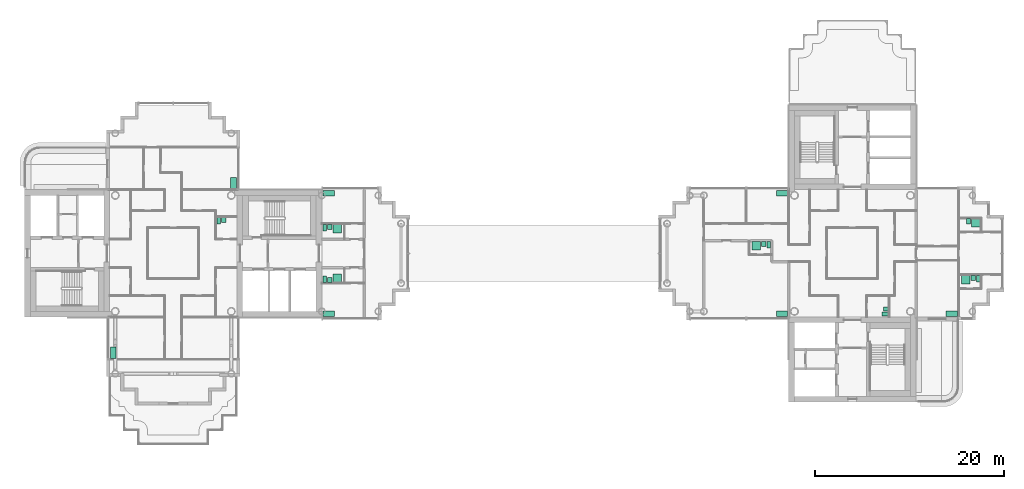
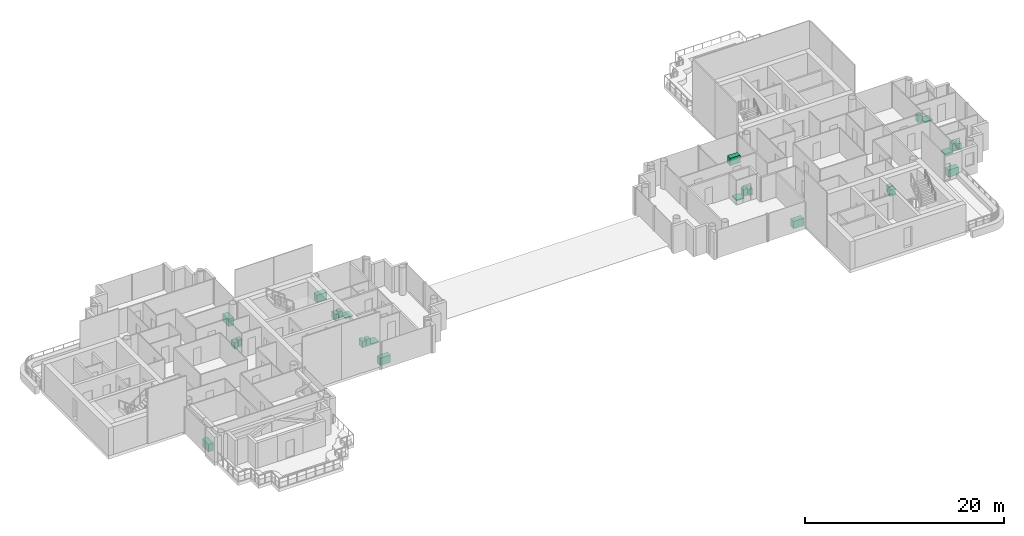
# One storey, part 19 of 19: 25 sanitary terminals.
"""IFC4 building model written with IfcOpenShell, lengths in metres."""

from ifc_helpers import new_model, si_unit, direction, frame, origin, origin_2d, place, context, subcontext, project, spatial, rectangle, extrude, material, type_object, element, save


model = new_model("IFC4")

# Units and contexts
model_context = context("Model", 3, precision=1e-05, world=origin(), true_north=direction((0.0, 1.0)))
body_context = subcontext(model_context, "Body", "Model", "MODEL_VIEW")
ifc_project = project(units=[si_unit("LENGTHUNIT", "METRE"), si_unit("AREAUNIT", "SQUARE_METRE"), si_unit("VOLUMEUNIT", "CUBIC_METRE"), si_unit("PLANEANGLEUNIT", "RADIAN"), si_unit("MASSUNIT", "GRAM", prefix="KILO")], contexts=[model_context])

# Site, building, storey
site_placement = place(None, origin())
site = spatial("IfcSite", under=ifc_project, at=site_placement, CompositionType="ELEMENT")
building_placement = place(site_placement, origin())
building = spatial("IfcBuilding", under=site, at=building_placement, Name="Ipe Terrace Towers", CompositionType="ELEMENT")
storey_placement = place(building_placement, frame((0.0, 0.0, 185.800048828125)))
storey = spatial("IfcBuildingStorey", under=building, at=storey_placement, Name="L51", CompositionType="ELEMENT", Elevation=185.800048828125)

# Sanitary terminals
ifc_material_1 = material(Name="Stainless sink unit", Category="metal")
sanitary_terminal_type_1 = type_object("IfcSanitaryTerminalType", Name="Kitchen sink unit", PredefinedType="SINK", material=ifc_material_1)
for number, where, z_axis, x_axis, name in (
    (1, (-29.6201171875, 7.469970703125, 0.0), (0.0, 0.0, 1.0), (0.0, -1.0, 0.0), "Kitchen sink unit"),
    (2, (-42.3798828125, -10.530029296875, 0.0), (0.0, 0.0, 1.0), (0.0, 1.0, 0.0), "Kitchen sink unit"),
    (3, (-19.530029296875, 6.3798828125, 0.0), (0.0, 0.0, 1.0), (1.0, 0.0, 0.0), "Kitchen sink unit"),
    (4, (-19.530029296875, -6.3798828125, 0.0), (0.0, 0.0, 1.0), (-1.0, 0.0, 0.0), "Kitchen sink unit"),
    (5, (28.530029296875, -6.3798828125, 0.0), (0.0, 0.0, 1.0), (-1.0, 0.0, 0.0), "Kitchen sink unit"),
    (6, (28.530029296875, 6.3798828125, 0.0), (0.0, 0.0, 1.0), (1.0, 0.0, 0.0), "Kitchen sink unit"),
    (7, (46.530029296875, -6.3798828125, 0.0), (0.0, 0.0, 1.0), (-1.0, 0.0, 0.0), "Kitchen sink unit"),
):
    element("IfcSanitaryTerminal", number, at=place(storey_placement, frame(where, z_axis=z_axis, x_axis=x_axis)), inside=storey, type_object=sanitary_terminal_type_1, Name=name, PredefinedType="SINK", context=body_context, shape_type="SweptSolid", body=[
        extrude(rectangle(XDim=1.199951171875, YDim=0.60009765625, at=origin_2d()), origin(), (0.0, 0.0, 1.0), 0.89990234375),
    ])
ifc_material_2 = material(Name="Acrylic", Category="plastic")
sanitary_terminal_type_2 = type_object("IfcSanitaryTerminalType", Name="Shower tray", PredefinedType="SHOWER", material=ifc_material_2)
for number, where, z_axis, x_axis, name in (
    (8, (-18.6298828125, 2.6298828125, 0.0), (0.0, 0.0, 1.0), (0.0, -1.0, 0.0), "Shower tray"),
    (9, (-18.6298828125, -2.6298828125, 0.0), (0.0, 0.0, 1.0), (0.0, 1.0, 0.0), "Shower tray"),
    (10, (25.830078125, 0.830078125, 0.0), (0.0, 0.0, 1.0), (0.0, -1.0, 0.0), "Shower tray"),
    (11, (49.080078125, 3.22998046875, 0.0), (0.0, 0.0, 1.0), (0.0, -1.0, 0.0), "Shower tray"),
    (12, (48.030029296875, -2.77001953125, 0.0), (0.0, 0.0, 1.0), (0.0, -1.0, 0.0), "Shower tray"),
):
    element("IfcSanitaryTerminal", number, at=place(storey_placement, frame(where, z_axis=z_axis, x_axis=x_axis)), inside=storey, type_object=sanitary_terminal_type_2, Name=name, PredefinedType="SHOWER", context=body_context, shape_type="SweptSolid", body=[
        extrude(rectangle(XDim=0.89990234375, YDim=0.89990234375, at=origin_2d()), origin(), (0.0, 0.0, 1.0), 0.14990234375),
    ])
ifc_material_3 = material(Name="Vitreous china", Category="ceramic")
sanitary_terminal_type_3 = type_object("IfcSanitaryTerminalType", Name="Wash basin", PredefinedType="WASHHANDBASIN", material=ifc_material_3)
for number, where, z_axis, x_axis, name in (
    (13, (-30.655029296875, 3.554931640625, 0.0), (0.0, 0.0, 1.0), (0.0, -1.0, 0.0), "Wash basin"),
    (14, (-19.405029296875, 2.804931640625, 0.0), (0.0, 0.0, 1.0), (0.0, -1.0, 0.0), "Wash basin"),
    (15, (-19.405029296875, -2.804931640625, 0.0), (0.0, 0.0, 1.0), (0.0, 1.0, 0.0), "Wash basin"),
    (16, (39.554931640625, -5.905029296875, 0.0), (0.0, 0.0, 1.0), (-1.0, 0.0, 0.0), "Wash basin"),
    (17, (26.60498046875, 1.0048828125, 0.0), (0.0, 0.0, 1.0), (0.0, -1.0, 0.0), "Wash basin"),
    (18, (48.304931640625, 3.405029296875, 0.0), (0.0, 0.0, 1.0), (0.0, -1.0, 0.0), "Wash basin"),
    (19, (48.804931640625, -2.594970703125, 0.0), (0.0, 0.0, 1.0), (0.0, -1.0, 0.0), "Wash basin"),
):
    element("IfcSanitaryTerminal", number, at=place(storey_placement, frame(where, z_axis=z_axis, x_axis=x_axis)), inside=storey, type_object=sanitary_terminal_type_3, Name=name, PredefinedType="WASHHANDBASIN", context=body_context, shape_type="SweptSolid", body=[
        extrude(rectangle(XDim=0.550048828125, YDim=0.449951171875, at=origin_2d()), origin(), (0.0, 0.0, 1.0), 0.85009765625),
    ])
ifc_material_4 = material(Name="Vitreous china", Category="ceramic")
sanitary_terminal_type_4 = type_object("IfcSanitaryTerminalType", Name="Water closet", PredefinedType="TOILETPAN", material=ifc_material_4)
for number, where, z_axis, x_axis, name in (
    (20, (-31.179931640625, 3.47998046875, 0.0), (0.0, 0.0, 1.0), (0.0, -1.0, 0.0), "Water closet"),
    (21, (-19.929931640625, 2.72998046875, 0.0), (0.0, 0.0, 1.0), (0.0, -1.0, 0.0), "Water closet"),
    (22, (-19.929931640625, -2.72998046875, 0.0), (0.0, 0.0, 1.0), (0.0, 1.0, 0.0), "Water closet"),
    (23, (39.47998046875, -6.429931640625, 0.0), (0.0, 0.0, 1.0), (-1.0, 0.0, 0.0), "Water closet"),
    (24, (27.1298828125, 0.929931640625, 0.0), (0.0, 0.0, 1.0), (0.0, -1.0, 0.0), "Water closet"),
    (25, (49.330078125, -2.669921875, 0.0), (0.0, 0.0, 1.0), (0.0, -1.0, 0.0), "Water closet"),
):
    element("IfcSanitaryTerminal", number, at=place(storey_placement, frame(where, z_axis=z_axis, x_axis=x_axis)), inside=storey, type_object=sanitary_terminal_type_4, Name=name, PredefinedType="TOILETPAN", context=body_context, shape_type="SweptSolid", body=[
        extrude(rectangle(XDim=0.699951171875, YDim=0.39990234375, at=origin_2d()), origin(), (0.0, 0.0, 1.0), 0.780029296875),
    ])

save(model, "model.ifc")
